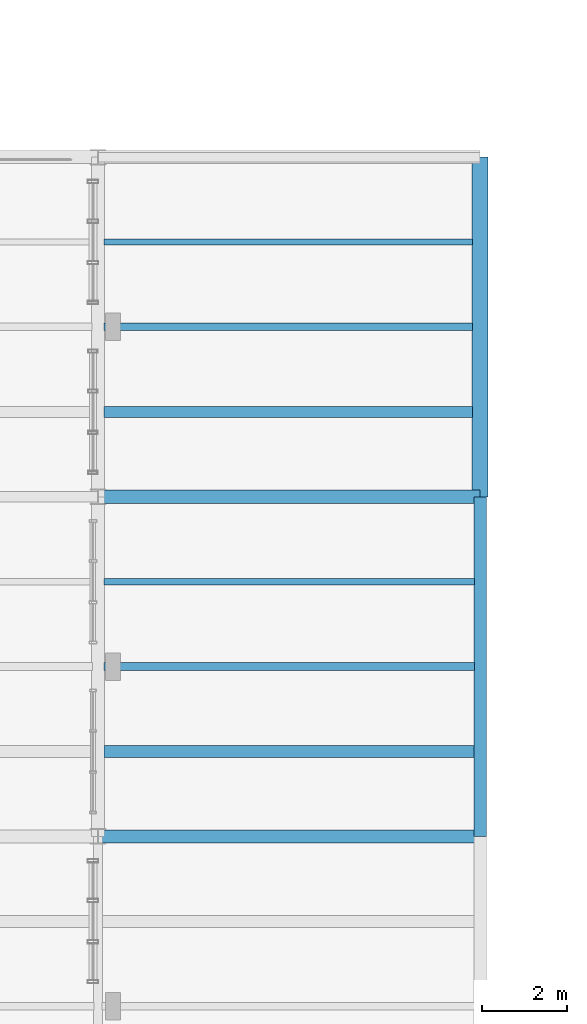
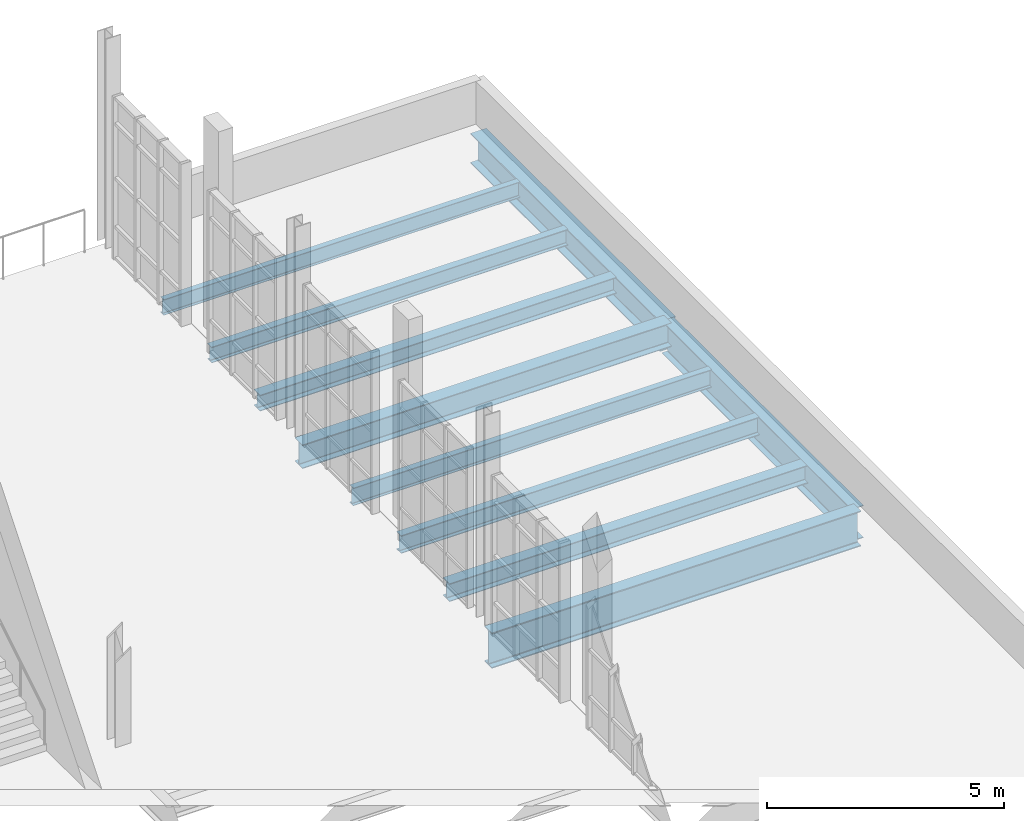
# One storey, part 83 of 142: 10 beams.
"""IFC4 building model written with IfcOpenShell, lengths in metres."""

from ifc_helpers import new_model, si_unit, direction, frame, origin, origin_2d, place, context, subcontext, project, spatial, i_section, extrude, material, material_profile, profile_set, type_object, element, save


model = new_model("IFC4")

# Units and contexts
model_context = context("Model", 3, precision=1e-05, world=origin(), true_north=direction((0.0, 1.0)))
body_context = subcontext(model_context, "Body", "Model", "MODEL_VIEW")
ifc_project = project(units=[si_unit("LENGTHUNIT", "METRE"), si_unit("AREAUNIT", "SQUARE_METRE"), si_unit("VOLUMEUNIT", "CUBIC_METRE"), si_unit("PLANEANGLEUNIT", "RADIAN"), si_unit("MASSUNIT", "GRAM", prefix="KILO"), si_unit("THERMODYNAMICTEMPERATUREUNIT", "KELVIN"), si_unit("POWERUNIT", "WATT")], contexts=[model_context])

# Site, building, storey
site_placement = place(None, origin())
site = spatial("IfcSite", under=ifc_project, at=site_placement, CompositionType="ELEMENT")
building_placement = place(site_placement, origin())
building = spatial("IfcBuilding", under=site, at=building_placement, Name="Zelmaris Science Centre", CompositionType="ELEMENT")
storey_placement = place(building_placement, frame((0.0, 0.0, 5.39990234375)))
storey = spatial("IfcBuildingStorey", under=building, at=storey_placement, Name="L01", CompositionType="ELEMENT", Elevation=5.39990234375)

# Beams
ifc_material = material(Name="Steel ASTM A992 Grade 50", Category="steel")
ifc_material_profile_1 = material_profile(ifc_material, i_section(OverallWidth=0.304931640625, OverallDepth=0.9140625, WebThickness=0.0166015625, FlangeThickness=0.02587890625, FilletRadius=0.02392578125, at=origin_2d()), Name="W36X160")
ifc_profile_set_1 = profile_set([ifc_material_profile_1], Name="Steel ASTM A992 Grade 50")
beam_type_1 = type_object("IfcBeamType", Name="Beam G-04 W36X160", PredefinedType="BEAM", material=ifc_profile_set_1)
beam_1_placement = place(storey_placement, frame((144.0, 40.0, -0.73681640625), z_axis=(1.0, 0.0, 0.0), x_axis=(0.0, 1.0, 0.0)))
element("IfcBeam", 1, at=beam_1_placement, inside=storey, type_object=beam_type_1, Name="L01 East-west girder 373", PredefinedType="BEAM", context=body_context, shape_type="SweptSolid", body=[
    extrude(i_section(OverallWidth=0.304931640625, OverallDepth=0.9140625, WebThickness=0.0166015625, FlangeThickness=0.02587890625, FilletRadius=0.02392578125, at=origin_2d()), origin(), (0.0, 0.0, 1.0), 9.0),
])
ifc_material_profile_2 = material_profile(ifc_material, i_section(OverallWidth=0.324951171875, OverallDepth=0.612060546875, WebThickness=0.0126953125, FlangeThickness=0.01904296875, FilletRadius=0.014892578125, at=origin_2d()), Name="W24X104")
ifc_profile_set_2 = profile_set([ifc_material_profile_2], Name="Steel ASTM A992 Grade 50")
beam_type_2 = type_object("IfcBeamType", Name="Beam G-15 W24X104", PredefinedType="BEAM", material=ifc_profile_set_2)
beam_2_placement = place(storey_placement, frame((144.0, 48.0, -0.5859375), z_axis=(1.0, 0.0, 0.0), x_axis=(0.0, 1.0, 0.0)))
element("IfcBeam", 2, at=beam_2_placement, inside=storey, type_object=beam_type_2, Name="L01 East-west girder 380", PredefinedType="BEAM", context=body_context, shape_type="SweptSolid", body=[
    extrude(i_section(OverallWidth=0.324951171875, OverallDepth=0.612060546875, WebThickness=0.0126953125, FlangeThickness=0.01904296875, FilletRadius=0.014892578125, at=origin_2d()), origin(), (0.0, 0.0, 1.0), 9.0),
])
ifc_material_profile_3 = material_profile(ifc_material, i_section(OverallWidth=0.2919921875, OverallDepth=0.8359375, WebThickness=0.013916015625, FlangeThickness=0.018798828125, FilletRadius=0.02001953125, at=origin_2d()), Name="W33X118")
ifc_profile_set_3 = profile_set([ifc_material_profile_3], Name="Steel ASTM A992 Grade 50")
beam_type_3 = type_object("IfcBeamType", Name="Beam G-30 W33X118", PredefinedType="BEAM", material=ifc_profile_set_3)
beam_3_placement = place(storey_placement, frame((153.0, 40.0, -0.697998046875), z_axis=(0.0, 1.0, 0.0), x_axis=(-1.0, 0.0, 0.0)))
element("IfcBeam", 3, at=beam_3_placement, inside=storey, type_object=beam_type_3, Name="L01 North-south girder 329", PredefinedType="BEAM", context=body_context, shape_type="SweptSolid", body=[
    extrude(i_section(OverallWidth=0.2919921875, OverallDepth=0.8359375, WebThickness=0.013916015625, FlangeThickness=0.018798828125, FilletRadius=0.02001953125, at=origin_2d()), origin(), (0.0, 0.0, 1.0), 8.0),
])
ifc_material_profile_4 = material_profile(ifc_material, i_section(OverallWidth=0.381103515625, OverallDepth=0.777099609375, WebThickness=0.01806640625, FlangeThickness=0.030029296875, FilletRadius=0.01904296875, at=origin_2d()), Name="W30X191")
ifc_profile_set_4 = profile_set([ifc_material_profile_4], Name="Steel ASTM A992 Grade 50")
beam_type_4 = type_object("IfcBeamType", Name="Beam G-31 W30X191", PredefinedType="BEAM", material=ifc_profile_set_4)
beam_4_placement = place(storey_placement, frame((153.0, 48.0, -0.66845703125), z_axis=(0.0, 1.0, 0.0), x_axis=(-1.0, 0.0, 0.0)))
element("IfcBeam", 4, at=beam_4_placement, inside=storey, type_object=beam_type_4, Name="L01 North-south girder 330", PredefinedType="BEAM", context=body_context, shape_type="SweptSolid", body=[
    extrude(i_section(OverallWidth=0.381103515625, OverallDepth=0.777099609375, WebThickness=0.01806640625, FlangeThickness=0.030029296875, FilletRadius=0.01904296875, at=origin_2d()), origin(), (0.0, 0.0, 1.0), 8.0),
])
ifc_material_profile_5 = material_profile(ifc_material, i_section(OverallWidth=0.279052734375, OverallDepth=0.4619140625, WebThickness=0.0107421875, FlangeThickness=0.017333984375, FilletRadius=0.012939453125, at=origin_2d()), Name="W18X76")
ifc_profile_set_5 = profile_set([ifc_material_profile_5], Name="Steel ASTM A992 Grade 50")
beam_type_5 = type_object("IfcBeamType", Name="Beam J-03 W18X76", PredefinedType="JOIST", material=ifc_profile_set_5)
beam_5_placement = place(storey_placement, frame((144.135009765625, 42.0, -0.510986328125), z_axis=(1.0, 0.0, 0.0), x_axis=(0.0, 1.0, 0.0)))
element("IfcBeam", 5, at=beam_5_placement, inside=storey, type_object=beam_type_5, Name="L01 Composite floor joist 227", PredefinedType="JOIST", context=body_context, shape_type="SweptSolid", body=[
    extrude(i_section(OverallWidth=0.279052734375, OverallDepth=0.4619140625, WebThickness=0.0107421875, FlangeThickness=0.017333984375, FilletRadius=0.012939453125, at=origin_2d()), origin(), (0.0, 0.0, 1.0), 8.73388671875),
])
ifc_material_profile_6 = material_profile(ifc_material, i_section(OverallWidth=0.19091796875, OverallDepth=0.4599609375, WebThickness=0.010009765625, FlangeThickness=0.01611328125, FilletRadius=0.012939453125, at=origin_2d()), Name="W18X55")
ifc_profile_set_6 = profile_set([ifc_material_profile_6], Name="Steel ASTM A992 Grade 50")
beam_type_6 = type_object("IfcBeamType", Name="Beam J-04 W18X55", PredefinedType="JOIST", material=ifc_profile_set_6)
beam_6_placement = place(storey_placement, frame((144.135009765625, 44.0, -0.510009765625), z_axis=(1.0, 0.0, 0.0), x_axis=(0.0, 1.0, 0.0)))
element("IfcBeam", 6, at=beam_6_placement, inside=storey, type_object=beam_type_6, Name="L01 Composite floor joist 228", PredefinedType="JOIST", context=body_context, shape_type="SweptSolid", body=[
    extrude(i_section(OverallWidth=0.19091796875, OverallDepth=0.4599609375, WebThickness=0.010009765625, FlangeThickness=0.01611328125, FilletRadius=0.012939453125, at=origin_2d()), origin(), (0.0, 0.0, 1.0), 8.73388671875),
])
ifc_material_profile_7 = material_profile(ifc_material, i_section(OverallWidth=0.152099609375, OverallDepth=0.455078125, WebThickness=0.008056640625, FlangeThickness=0.01318359375, FilletRadius=0.012939453125, at=origin_2d()), Name="W18X40")
ifc_profile_set_7 = profile_set([ifc_material_profile_7], Name="Steel ASTM A992 Grade 50")
beam_type_7 = type_object("IfcBeamType", Name="Beam J-05 W18X40", PredefinedType="JOIST", material=ifc_profile_set_7)
beam_7_placement = place(storey_placement, frame((144.135009765625, 46.0, -0.50732421875), z_axis=(1.0, 0.0, 0.0), x_axis=(0.0, 1.0, 0.0)))
element("IfcBeam", 7, at=beam_7_placement, inside=storey, type_object=beam_type_7, Name="L01 Composite floor joist 229", PredefinedType="JOIST", context=body_context, shape_type="SweptSolid", body=[
    extrude(i_section(OverallWidth=0.152099609375, OverallDepth=0.455078125, WebThickness=0.008056640625, FlangeThickness=0.01318359375, FilletRadius=0.012939453125, at=origin_2d()), origin(), (0.0, 0.0, 1.0), 8.73388671875),
])
ifc_material_profile_8 = material_profile(ifc_material, i_section(OverallWidth=0.260009765625, OverallDepth=0.4140625, WebThickness=0.010009765625, FlangeThickness=0.016845703125, FilletRadius=0.011962890625, at=origin_2d()), Name="W16X67")
ifc_profile_set_8 = profile_set([ifc_material_profile_8], Name="Steel ASTM A992 Grade 50")
beam_type_8 = type_object("IfcBeamType", Name="Beam J-06 W16X67", PredefinedType="JOIST", material=ifc_profile_set_8)
beam_8_placement = place(storey_placement, frame((144.139892578125, 50.0, -0.48681640625), z_axis=(1.0, 0.0, 0.0), x_axis=(0.0, 1.0, 0.0)))
element("IfcBeam", 8, at=beam_8_placement, inside=storey, type_object=beam_type_8, Name="L01 Composite floor joist 230", PredefinedType="JOIST", context=body_context, shape_type="SweptSolid", body=[
    extrude(i_section(OverallWidth=0.260009765625, OverallDepth=0.4140625, WebThickness=0.010009765625, FlangeThickness=0.016845703125, FilletRadius=0.011962890625, at=origin_2d()), origin(), (0.0, 0.0, 1.0), 8.6845703125),
])
ifc_material_profile_9 = material_profile(ifc_material, i_section(OverallWidth=0.177978515625, OverallDepth=0.408935546875, WebThickness=0.0087890625, FlangeThickness=0.014404296875, FilletRadius=0.011962890625, at=origin_2d()), Name="W16X45")
ifc_profile_set_9 = profile_set([ifc_material_profile_9], Name="Steel ASTM A992 Grade 50")
beam_type_9 = type_object("IfcBeamType", Name="Beam J-07 W16X45", PredefinedType="JOIST", material=ifc_profile_set_9)
beam_9_placement = place(storey_placement, frame((144.139892578125, 52.0, -0.484375), z_axis=(1.0, 0.0, 0.0), x_axis=(0.0, 1.0, 0.0)))
element("IfcBeam", 9, at=beam_9_placement, inside=storey, type_object=beam_type_9, Name="L01 Composite floor joist 231", PredefinedType="JOIST", context=body_context, shape_type="SweptSolid", body=[
    extrude(i_section(OverallWidth=0.177978515625, OverallDepth=0.408935546875, WebThickness=0.0087890625, FlangeThickness=0.014404296875, FilletRadius=0.011962890625, at=origin_2d()), origin(), (0.0, 0.0, 1.0), 8.6845703125),
])
ifc_material_profile_10 = material_profile(ifc_material, i_section(OverallWidth=0.139892578125, OverallDepth=0.404052734375, WebThickness=0.007080078125, FlangeThickness=0.01123046875, FilletRadius=0.011962890625, at=origin_2d()), Name="W16X31")
ifc_profile_set_10 = profile_set([ifc_material_profile_10], Name="Steel ASTM A992 Grade 50")
beam_type_10 = type_object("IfcBeamType", Name="Beam J-08 W16X31", PredefinedType="JOIST", material=ifc_profile_set_10)
beam_10_placement = place(storey_placement, frame((144.139892578125, 54.0, -0.48193359375), z_axis=(1.0, 0.0, 0.0), x_axis=(0.0, 1.0, 0.0)))
element("IfcBeam", 10, at=beam_10_placement, inside=storey, type_object=beam_type_10, Name="L01 Composite floor joist 232", PredefinedType="JOIST", context=body_context, shape_type="SweptSolid", body=[
    extrude(i_section(OverallWidth=0.139892578125, OverallDepth=0.404052734375, WebThickness=0.007080078125, FlangeThickness=0.01123046875, FilletRadius=0.011962890625, at=origin_2d()), origin(), (0.0, 0.0, 1.0), 8.6845703125),
])

save(model, "model.ifc")
